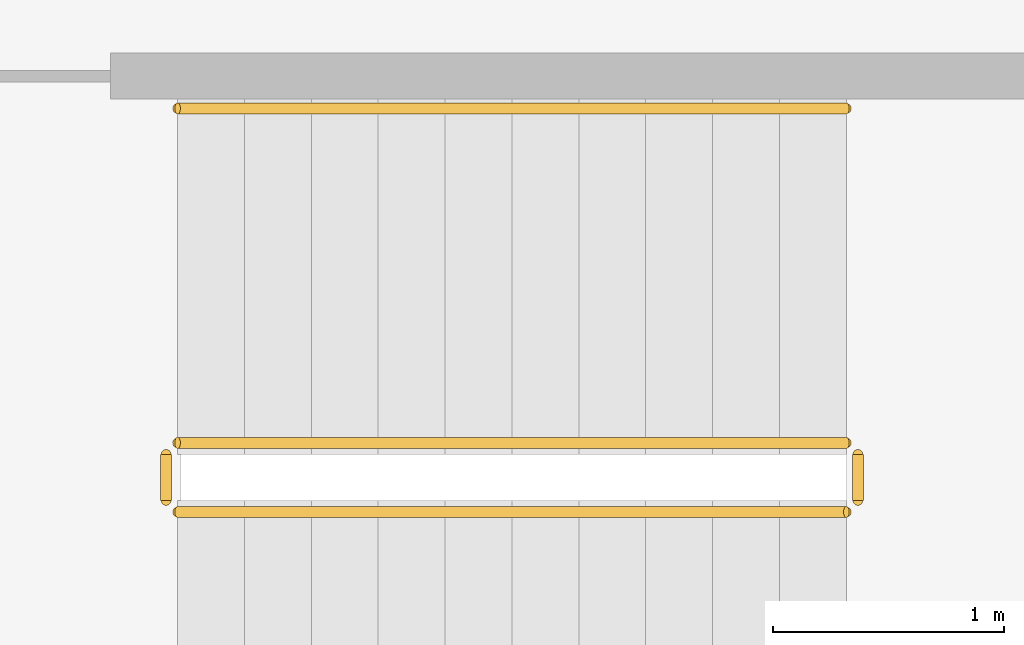
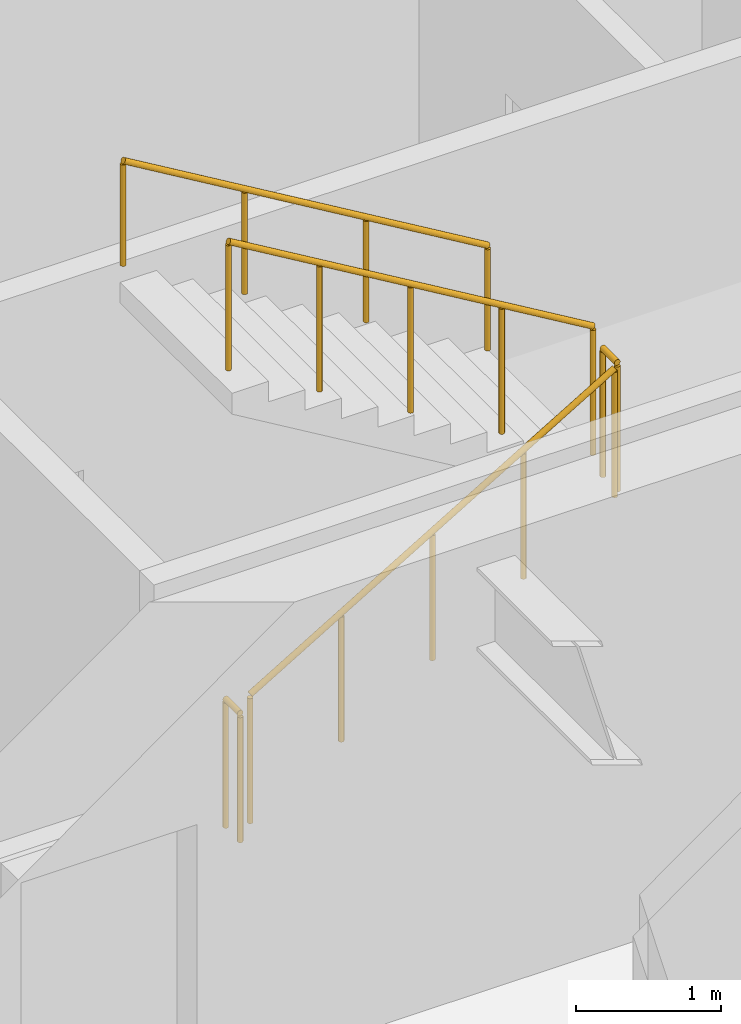
# One storey, part 22 of 23: 5 railings.
"""IFC4 building model written with IfcOpenShell, lengths in metres."""

import ifcopenshell
import ifcopenshell.guid

model = None  # the IFC model being written
_history = None  # IfcOwnerHistory: only IFC2X3 demands one
_inside = {}  # id of a spatial element -> (the spatial element, [elements in it])
_under = {}  # id of a project, library or spatial element -> (it, [spatial elements below it])
_declared = {}  # id of a project -> (the project, [libraries it declares])
_typed = {}  # id of a type object -> (the type object, [elements of that type])
_made_of = {}  # id of a material, layer set ... -> (it, [elements and type objects made of it])


def new_model(schema):
    """Start an empty IFC model of exactly this schema.

    Asked for "IFC4X3", IfcOpenShell would pick the latest addendum, in which some entities
    have other attributes; the version numbers below select the first issue.
    IFC2X3 requires an IfcOwnerHistory on every rooted entity: one is made here for all.
    """
    global model, _history
    if schema == "IFC4X3":
        model = ifcopenshell.file(schema_version=(4, 3, 0, 0))
    else:
        model = ifcopenshell.file(schema=schema)
    _inside.clear()
    _under.clear()
    _declared.clear()
    _typed.clear()
    _made_of.clear()
    _history = None
    if model.schema == "IFC2X3":
        org = make("IfcOrganization", Name="unknown")
        user = make(
            "IfcPersonAndOrganization",
            ThePerson=make("IfcPerson", FamilyName="unknown"),
            TheOrganization=org,
        )
        app = make(
            "IfcApplication",
            ApplicationDeveloper=org,
            Version="unknown",
            ApplicationFullName="unknown",
            ApplicationIdentifier="unknown",
        )
        _history = make(
            "IfcOwnerHistory",
            OwningUser=user,
            OwningApplication=app,
            ChangeAction="ADDED",
            CreationDate=0,
        )
    return model


def make(cls, **values):
    """One entity of the class cls with the attributes given. An attribute that is None is left unset."""
    return model.create_entity(
        cls, **{name: value for name, value in values.items() if value is not None}
    )


def rooted(cls, **values):
    """An entity with a GlobalId (a new one), such as an element, a storey or a relation."""
    return make(cls, GlobalId=ifcopenshell.guid.new(), OwnerHistory=_history, **values)


def si_unit(unit_type, name, prefix=None):
    """IfcSIUnit, for example si_unit("LENGTHUNIT", "METRE", prefix="MILLI")."""
    return make("IfcSIUnit", UnitType=unit_type, Prefix=prefix, Name=name)


def assignment(units):
    """IfcUnitAssignment: the units of a project."""
    return None if units is None else make("IfcUnitAssignment", Units=units)


def point(xyz):
    """IfcCartesianPoint."""
    return None if xyz is None else make("IfcCartesianPoint", Coordinates=xyz)


def direction(xyz):
    """IfcDirection."""
    return None if xyz is None else make("IfcDirection", DirectionRatios=xyz)


def frame(location, z_axis=None, x_axis=None):
    """IfcAxis2Placement3D, a coordinate frame: its origin and axes. An axis left out is left unset."""
    return make(
        "IfcAxis2Placement3D",
        Location=point(location),
        Axis=direction(z_axis),
        RefDirection=direction(x_axis),
    )


def frame_2d(location, x_axis=None):
    """IfcAxis2Placement2D, a coordinate frame in the plane: its origin and x axis."""
    return make(
        "IfcAxis2Placement2D", Location=point(location), RefDirection=direction(x_axis)
    )


def origin():
    """The frame at (0, 0, 0) with its axes left unset."""
    return frame((0.0, 0.0, 0.0))


def origin_2d():
    """The frame at (0, 0) in the plane with its x axis left unset."""
    return frame_2d((0.0, 0.0))


def place(relative_to, where):
    """IfcLocalPlacement: puts the frame where relative to a parent placement (None: the world)."""
    return make(
        "IfcLocalPlacement", PlacementRelTo=relative_to, RelativePlacement=where
    )


def context(
    kind, dimensions, precision=None, world=None, true_north=None, identifier=None
):
    """IfcGeometricRepresentationContext, for example the 3D "Model" context."""
    return make(
        "IfcGeometricRepresentationContext",
        ContextIdentifier=identifier,
        ContextType=kind,
        CoordinateSpaceDimension=dimensions,
        Precision=precision,
        WorldCoordinateSystem=world,
        TrueNorth=true_north,
    )


def subcontext(parent, identifier, kind, view, scale=None):
    """IfcGeometricRepresentationSubContext, for example "Body" below "Model"."""
    return make(
        "IfcGeometricRepresentationSubContext",
        ContextIdentifier=identifier,
        ContextType=kind,
        ParentContext=parent,
        TargetScale=scale,
        TargetView=view,
    )


def project(units=None, contexts=None):
    """IfcProject with its units and contexts."""
    return rooted(
        "IfcProject",
        Name="project",
        RepresentationContexts=contexts,
        UnitsInContext=assignment(units),
    )


def spatial(cls, under=None, at=None, **own):
    """A site, building, storey or space (cls), placed at a placement, below another one or the project."""
    s = rooted(cls, ObjectPlacement=at, **own)
    if under is not None:
        _under.setdefault(under.id(), (under, []))[1].append(s)
    return s


def profile(cls, at=None, kind="AREA", **sizes):
    """A parametric profile (cls). Its sizes go by their IFC names, for example OverallWidth=200.0."""
    return make(cls, ProfileType=kind, Position=at, **sizes)


def circle(**sizes):
    """IfcCircleProfileDef."""
    return profile("IfcCircleProfileDef", **sizes)


def extrude(swept, where, along, depth):
    """IfcExtrudedAreaSolid: the profile swept, set in the frame where, extruded along a direction by depth."""
    return make(
        "IfcExtrudedAreaSolid",
        SweptArea=swept,
        Position=where,
        ExtrudedDirection=direction(along),
        Depth=depth,
    )


def shape(context_of_items, identifier, shape_type, items):
    """IfcShapeRepresentation: the items that make up one representation, for example the "Body"."""
    return make(
        "IfcShapeRepresentation",
        ContextOfItems=context_of_items,
        RepresentationIdentifier=identifier,
        RepresentationType=shape_type,
        Items=items,
    )


def material(Name=None, Category=None):
    """IfcMaterial."""
    return make("IfcMaterial", Name=Name, Category=Category)


def made_of(thing, what):
    """Note that an element or type object is made of a material, layer set ...; save() writes the relation."""
    if what is not None:
        _made_of.setdefault(what.id(), (what, []))[1].append(thing)
    return thing


def type_object(cls, material=None, **own):
    """A type object (cls), such as IfcWallType, which elements share."""
    return made_of(rooted(cls, **own), material)


def element(
    cls,
    number,
    at=None,
    inside=None,
    cuts=None,
    type_object=None,
    material=None,
    context=None,
    identifier="Body",
    shape_type=None,
    held_by="IfcProductDefinitionShape",
    body=None,
    shapes=None,
    **own,
):
    """One element of the class cls, such as IfcWall. Its Tag is "e" and its number.

    at: its placement. inside: the storey or other place that contains it. cuts: it is an
    opening in that element (IfcRelVoidsElement). A single representation is given by context,
    identifier, shape_type and body (its items); several are given by shapes. held_by: the class
    of the entity that holds the representations. save() writes the other relations.
    """
    e = rooted(cls, Tag="e%d" % number, ObjectPlacement=at, **own)
    if body is not None:
        shapes = [shape(context, identifier, shape_type, body)]
    if shapes is not None:
        e.Representation = make(held_by, Representations=shapes)
    if inside is not None:
        _inside.setdefault(inside.id(), (inside, []))[1].append(e)
    if cuts is not None:
        rooted(
            "IfcRelVoidsElement", RelatingBuildingElement=cuts, RelatedOpeningElement=e
        )
    if type_object is not None:
        _typed.setdefault(type_object.id(), (type_object, []))[1].append(e)
    return made_of(e, material)


def aggregate(whole, parts):
    """IfcRelAggregates: a whole, such as a stair, and the parts it consists of."""
    return rooted("IfcRelAggregates", RelatingObject=whole, RelatedObjects=parts)


def save(model, path):
    """Write the relations noted so far, then the file.

    IfcRelAggregates (storeys below a building ...), IfcRelContainedInSpatialStructure (elements
    in a storey), IfcRelDefinesByType, IfcRelAssociatesMaterial and IfcRelDeclares: one each for
    every whole, place, type object, material and project.
    """
    for whole, parts in _under.values():
        aggregate(whole, parts)
    for where, things in _inside.values():
        rooted(
            "IfcRelContainedInSpatialStructure",
            RelatedElements=things,
            RelatingStructure=where,
        )
    for kind, things in _typed.values():
        rooted("IfcRelDefinesByType", RelatedObjects=things, RelatingType=kind)
    for what, things in _made_of.values():
        rooted("IfcRelAssociatesMaterial", RelatedObjects=things, RelatingMaterial=what)
    for by, libraries in _declared.values():
        rooted("IfcRelDeclares", RelatingContext=by, RelatedDefinitions=libraries)
    model.write(path)


model = new_model("IFC4")

# Units and contexts
model_context = context("Model", 3, precision=1e-05, world=origin(), true_north=direction((0.0, 1.0)))
body_context = subcontext(model_context, "Body", "Model", "MODEL_VIEW")
ifc_project = project(units=[si_unit("LENGTHUNIT", "METRE"), si_unit("AREAUNIT", "SQUARE_METRE"), si_unit("VOLUMEUNIT", "CUBIC_METRE"), si_unit("PLANEANGLEUNIT", "RADIAN"), si_unit("MASSUNIT", "GRAM", prefix="KILO")], contexts=[model_context])

# Site, building, storey
site_placement = place(None, origin())
site = spatial("IfcSite", under=ifc_project, at=site_placement, CompositionType="ELEMENT")
building_placement = place(site_placement, origin())
building = spatial("IfcBuilding", under=site, at=building_placement, Name="Putna Gate Headquarters", CompositionType="ELEMENT")
storey_placement = place(building_placement, frame((0.0, 0.0, 210.0)))
storey = spatial("IfcBuildingStorey", under=building, at=storey_placement, Name="L52", CompositionType="ELEMENT", Elevation=210.0)

# Railings
ifc_material_1 = material(Name="Powder-coated steel stair guardrail", Category="steel")
railing_type_1 = type_object("IfcRailingType", Name="RAIL-STAIR-GUARD-1100", PredefinedType="GUARDRAIL", material=ifc_material_1)
railing_1_placement = place(storey_placement, frame((57.89990234375, 21.10009765625, 0.172607421875)))
element("IfcRailing", 1, at=railing_1_placement, inside=storey, type_object=railing_type_1, Name="L52 ST2 stair guard 1", PredefinedType="GUARDRAIL", context=body_context, shape_type="SweptSolid", body=[
    extrude(circle(Radius=0.02392578125, at=origin_2d()), frame((0.0, 0.0, 1.076171875), z_axis=(0.859160404282, 0.0, 0.51170636083), x_axis=(0.0, 1.0, 0.0)), (0.0, 0.0, 1.0), 3.37548828125),
    extrude(circle(Radius=0.02099609375, at=origin_2d()), origin(), (0.0, 0.0, 1.0), 1.052001953125),
    extrude(circle(Radius=0.02099609375, at=origin_2d()), frame((0.72509765625, 0.0, 0.431884765625)), (0.0, 0.0, 1.0), 1.052001953125),
    extrude(circle(Radius=0.02099609375, at=origin_2d()), frame((1.4501953125, 0.0, 0.86376953125)), (0.0, 0.0, 1.0), 1.052001953125),
    extrude(circle(Radius=0.02099609375, at=origin_2d()), frame((2.175048828125, 0.0, 1.29541015625)), (0.0, 0.0, 1.0), 1.052001953125),
    extrude(circle(Radius=0.02099609375, at=origin_2d()), frame((2.900146484375, 0.0, 1.727294921875)), (0.0, 0.0, 1.0), 1.052001953125),
])
railing_2_placement = place(storey_placement, frame((60.85009765625, 21.14990234375, 1.89990234375)))
element("IfcRailing", 2, at=railing_2_placement, inside=storey, type_object=railing_type_1, Name="L52 ST2 stair guard 2", PredefinedType="GUARDRAIL", context=body_context, shape_type="SweptSolid", body=[
    extrude(circle(Radius=0.02392578125, at=origin_2d()), frame((0.0, 0.0, 1.076171875), z_axis=(0.0, 1.0, 0.0), x_axis=(-1.0, 0.0, 0.0)), (0.0, 0.0, 1.0), 0.2001953125),
    extrude(circle(Radius=0.02099609375, at=origin_2d()), origin(), (0.0, 0.0, 1.0), 1.052001953125),
    extrude(circle(Radius=0.02099609375, at=origin_2d()), frame((0.0, 0.2001953125, 0.0)), (0.0, 0.0, 1.0), 1.052001953125),
])
railing_3_placement = place(storey_placement, frame((60.800048828125, 21.39990234375, 2.07275390625)))
element("IfcRailing", 3, at=railing_3_placement, inside=storey, type_object=railing_type_1, Name="L52 ST2 stair guard 3", PredefinedType="GUARDRAIL", context=body_context, shape_type="SweptSolid", body=[
    extrude(circle(Radius=0.02392578125, at=origin_2d()), frame((0.0, 0.0, 1.076171875), z_axis=(-0.859160404282, 0.0, 0.51170636083), x_axis=(0.0, -1.0, 0.0)), (0.0, 0.0, 1.0), 3.37548828125),
    extrude(circle(Radius=0.02099609375, at=origin_2d()), origin(), (0.0, 0.0, 1.0), 1.052001953125),
    extrude(circle(Radius=0.02099609375, at=origin_2d()), frame((-0.72509765625, 0.0, 0.431884765625)), (0.0, 0.0, 1.0), 1.052001953125),
    extrude(circle(Radius=0.02099609375, at=origin_2d()), frame((-1.4501953125, 0.0, 0.86376953125)), (0.0, 0.0, 1.0), 1.052001953125),
    extrude(circle(Radius=0.02099609375, at=origin_2d()), frame((-2.175048828125, 0.0, 1.29541015625)), (0.0, 0.0, 1.0), 1.052001953125),
    extrude(circle(Radius=0.02099609375, at=origin_2d()), frame((-2.900146484375, 0.0, 1.727294921875)), (0.0, 0.0, 1.0), 1.052001953125),
])
railing_4_placement = place(storey_placement, frame((57.85009765625, 21.14990234375, 0.0)))
element("IfcRailing", 4, at=railing_4_placement, inside=storey, type_object=railing_type_1, Name="L52 ST2 stair guard 4", PredefinedType="GUARDRAIL", context=body_context, shape_type="SweptSolid", body=[
    extrude(circle(Radius=0.02392578125, at=origin_2d()), frame((0.0, 0.0, 1.076171875), z_axis=(0.0, 1.0, 0.0), x_axis=(-1.0, 0.0, 0.0)), (0.0, 0.0, 1.0), 0.2001953125),
    extrude(circle(Radius=0.02099609375, at=origin_2d()), origin(), (0.0, 0.0, 1.0), 1.052001953125),
    extrude(circle(Radius=0.02099609375, at=origin_2d()), frame((0.0, 0.2001953125, 0.0)), (0.0, 0.0, 1.0), 1.052001953125),
])
ifc_material_2 = material(Name="Brushed stainless steel handrail", Category="steel")
railing_type_2 = type_object("IfcRailingType", Name="RAIL-STAIR-HAND-900", PredefinedType="HANDRAIL", material=ifc_material_2)
railing_5_placement = place(storey_placement, frame((60.800048828125, 22.85009765625, 2.07275390625)))
element("IfcRailing", 5, at=railing_5_placement, inside=storey, type_object=railing_type_2, Name="L52 ST2 stair handrail 2", PredefinedType="HANDRAIL", context=body_context, shape_type="SweptSolid", body=[
    extrude(circle(Radius=0.02392578125, at=origin_2d()), frame((0.0, 0.0, 0.8759765625), z_axis=(-0.859160404282, 0.0, 0.51170636083), x_axis=(0.0, -1.0, 0.0)), (0.0, 0.0, 1.0), 3.37548828125),
    extrude(circle(Radius=0.02099609375, at=origin_2d()), origin(), (0.0, 0.0, 1.0), 0.851806640625),
    extrude(circle(Radius=0.02099609375, at=origin_2d()), frame((-0.966796875, 0.0, 0.57568359375)), (0.0, 0.0, 1.0), 0.851806640625),
    extrude(circle(Radius=0.02099609375, at=origin_2d()), frame((-1.933349609375, 0.0, 1.151611328125)), (0.0, 0.0, 1.0), 0.851806640625),
    extrude(circle(Radius=0.02099609375, at=origin_2d()), frame((-2.900146484375, 0.0, 1.727294921875)), (0.0, 0.0, 1.0), 0.851806640625),
])

save(model, "model.ifc")
